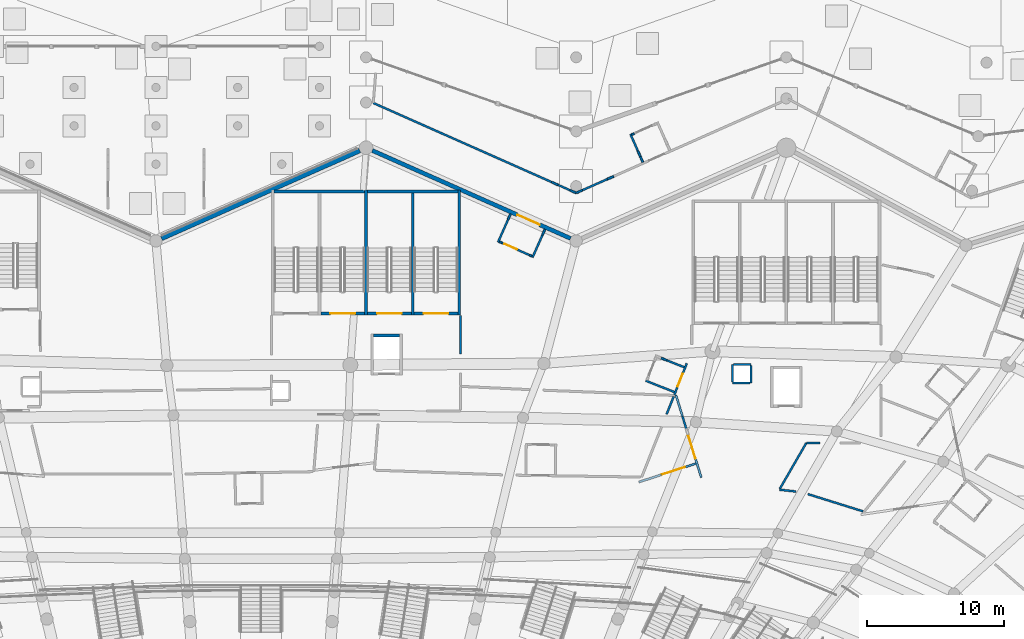
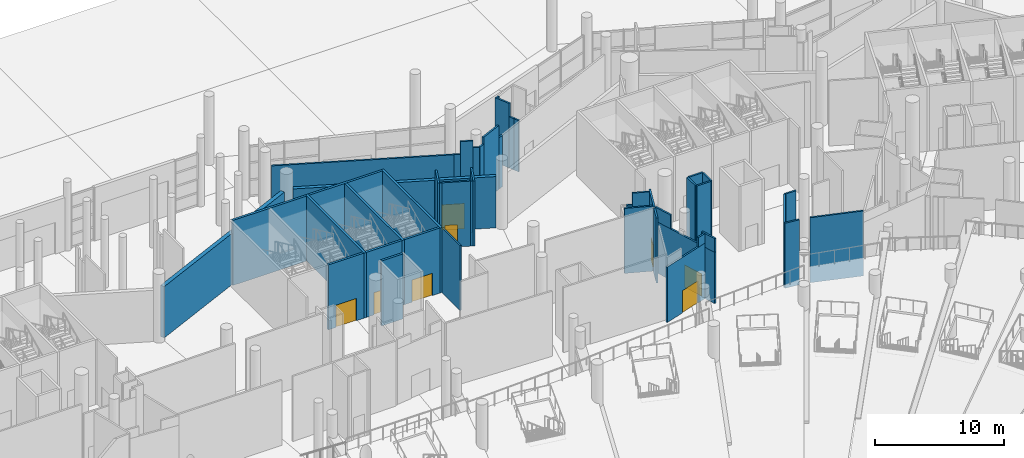
# One storey, part 151 of 255: 48 walls, 8 doors, 8 openings.
"""IFC4 building model written with IfcOpenShell, lengths in metres."""

from ifc_helpers import new_model, si_unit, direction, frame, frame_2d, origin, place, context, subcontext, project, spatial, rectangle, extrude, material, layer, layer_set, type_object, element, fill, save


model = new_model("IFC4")

# Units and contexts
model_context = context("Model", 3, precision=1e-05, world=origin(), true_north=direction((0.0, 1.0)))
body_context = subcontext(model_context, "Body", "Model", "MODEL_VIEW")
ifc_project = project(units=[si_unit("LENGTHUNIT", "METRE"), si_unit("AREAUNIT", "SQUARE_METRE"), si_unit("VOLUMEUNIT", "CUBIC_METRE"), si_unit("PLANEANGLEUNIT", "RADIAN"), si_unit("MASSUNIT", "GRAM", prefix="KILO")], contexts=[model_context])

# Site, building, storey
site_placement = place(None, origin())
site = spatial("IfcSite", under=ifc_project, at=site_placement, CompositionType="ELEMENT")
building_placement = place(site_placement, origin())
building = spatial("IfcBuilding", under=site, at=building_placement, Name="Meseta Stadium", CompositionType="ELEMENT")
storey_placement = place(building_placement, origin())
storey = spatial("IfcBuildingStorey", under=building, at=storey_placement, Name="L00", CompositionType="ELEMENT", Elevation=0.0)

# Walls
ifc_material_1 = material(Name="Concrete C40/50", Category="concrete")
ifc_layer_1 = layer(ifc_material_1, 0.199951171875)
ifc_layer_set_1 = layer_set([ifc_layer_1], Name="Core divider wall 200")
wall_type_1 = type_object("IfcWallType", Name="Core divider wall 200", PredefinedType="SHEAR", material=ifc_layer_set_1)
wall_1_placement = place(storey_placement, frame((11.066650390625, 102.300048828125, 0.0), z_axis=(0.0, 0.0, 1.0), x_axis=(0.0, -1.0, 0.0)))
element("IfcWall", 1, at=wall_1_placement, inside=storey, type_object=wall_type_1, Name="Core 10 L00 stair A divider wall", PredefinedType="SHEAR", context=body_context, shape_type="SweptSolid", body=[
    extrude(rectangle(XDim=9.10009765625, YDim=0.199951171875, at=frame_2d((4.550048828125, 0.0))), origin(), (0.0, 0.0, 1.0), 6.14990234375),
])
ifc_material_2 = material(Name="Concrete C40/50", Category="concrete")
ifc_layer_2 = layer(ifc_material_2, 0.199951171875)
ifc_layer_set_2 = layer_set([ifc_layer_2], Name="Core shaft wall 200")
wall_type_2 = type_object("IfcWallType", Name="Core shaft wall 200", PredefinedType="SHEAR", material=ifc_layer_set_2)
for number, where, z_axis, x_axis, name in (
    (2, (14.466796875, 102.300048828125, 0.0), (0.0, 0.0, 1.0), (0.0, -1.0, 0.0), "Core 10 L00 stair wall A-side"),
    (3, (7.666748046875, 102.300048828125, 0.0), (0.0, 0.0, 1.0), (0.0, -1.0, 0.0), "Core 10 L00 stair wall shared"),
):
    element("IfcWall", number, at=place(storey_placement, frame(where, z_axis=z_axis, x_axis=x_axis)), inside=storey, type_object=wall_type_2, Name=name, PredefinedType="SHEAR", context=body_context, shape_type="SweptSolid", body=[
        extrude(rectangle(XDim=9.10009765625, YDim=0.199951171875, at=frame_2d((4.550048828125, 0.0))), origin(), (0.0, 0.0, 1.0), 6.14990234375),
    ])
wall_2_placement = place(storey_placement, frame((14.36669921875, 102.199951171875, 0.0), z_axis=(0.0, 0.0, 1.0), x_axis=(-1.0, 0.0, 0.0)))
element("IfcWall", 4, at=wall_2_placement, inside=storey, type_object=wall_type_2, Name="Core 10 L00 stair A outer end wall", PredefinedType="SHEAR", context=body_context, shape_type="SweptSolid", body=[
    extrude(rectangle(XDim=6.60009765625, YDim=0.199951171875, at=frame_2d((3.300048828125, 0.0))), origin(), (0.0, 0.0, 1.0), 6.14990234375),
])
wall_3_placement = place(storey_placement, frame((7.566650390625, 102.199951171875, 0.0), z_axis=(0.0, 0.0, 1.0), x_axis=(-1.0, 0.0, 0.0)))
element("IfcWall", 5, at=wall_3_placement, inside=storey, type_object=wall_type_2, Name="Core 10 L00 stair B outer end wall", PredefinedType="SHEAR", context=body_context, shape_type="SweptSolid", body=[
    extrude(rectangle(XDim=6.599853515625, YDim=0.199951171875, at=frame_2d((3.2998046875, 0.0))), origin(), (0.0, 0.0, 1.0), 6.14990234375),
])

# Wall, opening, door
wall_4_placement = place(storey_placement, frame((14.36669921875, 93.300048828125, 0.0), z_axis=(0.0, 0.0, 1.0), x_axis=(-1.0, 0.0, 0.0)))
wall_4 = element("IfcWall", 6, at=wall_4_placement, inside=storey, type_object=wall_type_2, Name="Core 10 L00 stair A1 inner end wall", PredefinedType="SHEAR", context=body_context, shape_type="SweptSolid", body=[
    extrude(rectangle(XDim=3.199951171875, YDim=0.199951171875, at=frame_2d((1.60009765625, 0.0))), origin(), (0.0, 0.0, 1.0), 6.14990234375),
])
opening_1_placement = place(wall_4_placement, frame((0.699951171875, 0.0, 0.0)))
opening_1 = element("IfcOpeningElement", 7, at=opening_1_placement, cuts=wall_4, Name="Opening D143", PredefinedType="OPENING", context=body_context, shape_type="SweptSolid", body=[
    extrude(rectangle(XDim=1.800048828125, YDim=2.10009765625, at=frame_2d((0.89990234375, 1.050048828125))), frame((0.0, 0.10986328125, 0.0), z_axis=(0.0, -1.0, 0.0), x_axis=(1.0, 0.0, 0.0)), (0.0, 0.0, 1.0), 0.219970703125),
])
ifc_material_3 = material(Name="Steel", Category="steel")
door_type_1 = type_object("IfcDoorType", Name="Stair door 1800x2100", OperationType="DOUBLE_DOOR_SINGLE_SWING", PredefinedType="DOOR", material=ifc_material_3)
door_1_placement = place(opening_1_placement, origin())
door_1 = element("IfcDoor", 8, at=door_1_placement, inside=storey, type_object=door_type_1, Name="Stair A1 door 10 L00", OperationType="DOUBLE_DOOR_SINGLE_SWING", OverallHeight=2.10009765625, OverallWidth=1.800048828125, PredefinedType="DOOR", context=body_context, shape_type="SweptSolid", body=[
    extrude(rectangle(XDim=1.800048828125, YDim=2.10009765625, at=frame_2d((0.89990234375, 1.050048828125))), frame((0.0, 0.02490234375, 0.0), z_axis=(0.0, -1.0, 0.0), x_axis=(1.0, 0.0, 0.0)), (0.0, 0.0, 1.0), 0.050048828125),
])
fill(opening_1, door_1)

wall_5_placement = place(storey_placement, frame((10.966796875, 93.300048828125, 0.0), z_axis=(0.0, 0.0, 1.0), x_axis=(-1.0, 0.0, 0.0)))
wall_5 = element("IfcWall", 9, at=wall_5_placement, inside=storey, type_object=wall_type_2, Name="Core 10 L00 stair A2 inner end wall", PredefinedType="SHEAR", context=body_context, shape_type="SweptSolid", body=[
    extrude(rectangle(XDim=3.2001953125, YDim=0.199951171875, at=frame_2d((1.60009765625, 0.0))), origin(), (0.0, 0.0, 1.0), 6.14990234375),
])
opening_2_placement = place(wall_5_placement, frame((0.699951171875, 0.0, 0.0)))
opening_2 = element("IfcOpeningElement", 10, at=opening_2_placement, cuts=wall_5, Name="Opening D144", PredefinedType="OPENING", context=body_context, shape_type="SweptSolid", body=[
    extrude(rectangle(XDim=1.800048828125, YDim=2.10009765625, at=frame_2d((0.89990234375, 1.050048828125))), frame((0.0, 0.10986328125, 0.0), z_axis=(0.0, -1.0, 0.0), x_axis=(1.0, 0.0, 0.0)), (0.0, 0.0, 1.0), 0.219970703125),
])
door_2_placement = place(opening_2_placement, origin())
door_2 = element("IfcDoor", 11, at=door_2_placement, inside=storey, type_object=door_type_1, Name="Stair A2 door 10 L00", OperationType="DOUBLE_DOOR_SINGLE_SWING", OverallHeight=2.10009765625, OverallWidth=1.800048828125, PredefinedType="DOOR", context=body_context, shape_type="SweptSolid", body=[
    extrude(rectangle(XDim=1.800048828125, YDim=2.10009765625, at=frame_2d((0.89990234375, 1.050048828125))), frame((0.0, 0.02490234375, 0.0), z_axis=(0.0, -1.0, 0.0), x_axis=(1.0, 0.0, 0.0)), (0.0, 0.0, 1.0), 0.050048828125),
])
fill(opening_2, door_2)

wall_6_placement = place(storey_placement, frame((7.566650390625, 93.300048828125, 0.0), z_axis=(0.0, 0.0, 1.0), x_axis=(-1.0, 0.0, 0.0)))
wall_6 = element("IfcWall", 12, at=wall_6_placement, inside=storey, type_object=wall_type_2, Name="Core 10 L00 stair B1 inner end wall", PredefinedType="SHEAR", context=body_context, shape_type="SweptSolid", body=[
    extrude(rectangle(XDim=3.199951171875, YDim=0.199951171875, at=frame_2d((1.60009765625, 0.0))), origin(), (0.0, 0.0, 1.0), 6.14990234375),
])
opening_3_placement = place(wall_6_placement, frame((0.699951171875, 0.0, 0.0)))
opening_3 = element("IfcOpeningElement", 13, at=opening_3_placement, cuts=wall_6, Name="Opening D145", PredefinedType="OPENING", context=body_context, shape_type="SweptSolid", body=[
    extrude(rectangle(XDim=1.800048828125, YDim=2.10009765625, at=frame_2d((0.89990234375, 1.050048828125))), frame((0.0, 0.10986328125, 0.0), z_axis=(0.0, -1.0, 0.0), x_axis=(1.0, 0.0, 0.0)), (0.0, 0.0, 1.0), 0.219970703125),
])
door_3_placement = place(opening_3_placement, origin())
door_3 = element("IfcDoor", 14, at=door_3_placement, inside=storey, type_object=door_type_1, Name="Stair B1 door 10 L00", OperationType="DOUBLE_DOOR_SINGLE_SWING", OverallHeight=2.10009765625, OverallWidth=1.800048828125, PredefinedType="DOOR", context=body_context, shape_type="SweptSolid", body=[
    extrude(rectangle(XDim=1.800048828125, YDim=2.10009765625, at=frame_2d((0.89990234375, 1.050048828125))), frame((0.0, 0.02490234375, 0.0), z_axis=(0.0, -1.0, 0.0), x_axis=(1.0, 0.0, 0.0)), (0.0, 0.0, 1.0), 0.050048828125),
])
fill(opening_3, door_3)

# Walls
wall_7_placement = place(storey_placement, frame((10.11669921875, 91.699951171875, 0.0), z_axis=(0.0, 0.0, 1.0), x_axis=(-1.0, 0.0, 0.0)))
element("IfcWall", 15, at=wall_7_placement, inside=storey, type_object=wall_type_2, Name="Core 10 L00 lift shaft back wall", PredefinedType="SHEAR", context=body_context, shape_type="SweptSolid", body=[
    extrude(rectangle(XDim=1.89990234375, YDim=0.199951171875, at=frame_2d((0.949951171875, 0.0))), origin(), (0.0, 0.0, 1.0), 6.14990234375),
])
ifc_material_4 = material(Name="Masonry blockwork", Category="masonry")
ifc_layer_3 = layer(ifc_material_4, 0.14990234375)
ifc_layer_set_3 = layer_set([ifc_layer_3], Name="Partition 150")
wall_type_3 = type_object("IfcWallType", Name="Partition 150", PredefinedType="PARTITIONING", material=ifc_layer_set_3)
wall_8_placement = place(storey_placement, frame((43.937744140625, 78.868408203125, 0.0), z_axis=(0.0, 0.0, 1.0), x_axis=(-0.954519061561, 0.29814989706, 0.0)))
element("IfcWall", 16, at=wall_8_placement, inside=storey, type_object=wall_type_3, Name="Partition L00 L00-cell07-1-0w", PredefinedType="PARTITIONING", context=body_context, shape_type="SweptSolid", body=[
    extrude(rectangle(XDim=4.222900390625, YDim=0.14990234375, at=frame_2d((2.111328125, 0.0))), origin(), (0.0, 0.0, 1.0), 6.14990234375),
])
wall_9_placement = place(storey_placement, frame((39.043701171875, 80.315185546875, 0.0), z_axis=(0.0, 0.0, 1.0), x_axis=(-0.993946565938, 0.10986457145, 0.0)))
element("IfcWall", 17, at=wall_9_placement, inside=storey, type_object=wall_type_3, Name="Partition L00 L00-cell07-1-0w", PredefinedType="PARTITIONING", context=body_context, shape_type="SweptSolid", body=[
    extrude(rectangle(XDim=1.228759765625, YDim=0.14990234375, at=frame_2d((0.6142578125, 0.0))), origin(), (0.0, 0.0, 1.0), 6.14990234375),
])
wall_10_placement = place(storey_placement, frame((37.86328125, 80.521240234375, 0.0), z_axis=(0.0, 0.0, 1.0), x_axis=(0.500453142438, 0.865763623759, 0.0)))
element("IfcWall", 18, at=wall_10_placement, inside=storey, type_object=wall_type_3, Name="Partition L00 L00-cell07-1-0w", PredefinedType="PARTITIONING", context=body_context, shape_type="SweptSolid", body=[
    extrude(rectangle(XDim=3.84619140625, YDim=0.14990234375, at=frame_2d((1.923095703125, 0.0))), origin(), (0.0, 0.0, 1.0), 6.14990234375),
])
wall_11_placement = place(storey_placement, frame((39.7880859375, 83.85107421875, 0.0), z_axis=(0.0, 0.0, 1.0), x_axis=(1.0, 0.0, 0.0)))
element("IfcWall", 19, at=wall_11_placement, inside=storey, type_object=wall_type_3, Name="Partition L00 L00-cell07-1-0w", PredefinedType="PARTITIONING", context=body_context, shape_type="SweptSolid", body=[
    extrude(rectangle(XDim=0.989990234375, YDim=0.14990234375, at=frame_2d((0.4951171875, 0.0))), origin(), (0.0, 0.0, 1.0), 6.14990234375),
])
wall_12_placement = place(storey_placement, frame((30.114013671875, 87.251953125, 0.0), z_axis=(0.0, 0.0, 1.0), x_axis=(-0.368802456255, -0.929507798924, 0.0)))
element("IfcWall", 20, at=wall_12_placement, inside=storey, type_object=wall_type_3, Name="Partition L00 L00-cell08-1-0", PredefinedType="PARTITIONING", context=body_context, shape_type="SweptSolid", body=[
    extrude(rectangle(XDim=1.3994140625, YDim=0.14990234375, at=frame_2d((0.69970703125, 0.0))), origin(), (0.0, 0.0, 1.0), 6.14990234375),
])
wall_13_placement = place(storey_placement, frame((14.566650390625, 90.366455078125, 0.0), z_axis=(0.0, 0.0, 1.0), x_axis=(0.0, 1.0, 0.0)))
element("IfcWall", 21, at=wall_13_placement, inside=storey, type_object=wall_type_3, Name="Partition L00 L00-cell08-2-0", PredefinedType="PARTITIONING", context=body_context, shape_type="SweptSolid", body=[
    extrude(rectangle(XDim=2.79345703125, YDim=0.14990234375, at=frame_2d((1.396728515625, 0.0))), origin(), (0.0, 0.0, 1.0), 6.14990234375),
])

# Wall, opening, door
wall_14_placement = place(storey_placement, frame((31.070068359375, 89.6611328125, 0.0), z_axis=(0.0, 0.0, 1.0), x_axis=(-0.368825125467, -0.9294988041, 0.0)))
wall_14 = element("IfcWall", 22, at=wall_14_placement, inside=storey, type_object=wall_type_3, Name="Partition L00 L00-cell08-2-0", PredefinedType="PARTITIONING", context=body_context, shape_type="SweptSolid", body=[
    extrude(rectangle(XDim=2.46240234375, YDim=0.14990234375, at=frame_2d((1.231201171875, 0.0))), origin(), (0.0, 0.0, 1.0), 6.14990234375),
])
opening_4_placement = place(wall_14_placement, frame((0.800048828125, 0.0, 0.0)))
opening_4 = element("IfcOpeningElement", 23, at=opening_4_placement, cuts=wall_14, Name="Opening D559", PredefinedType="OPENING", context=body_context, shape_type="SweptSolid", body=[
    extrude(rectangle(XDim=1.0, YDim=2.10009765625, at=frame_2d((0.5, 1.050048828125))), frame((0.0, 0.0849609375, 0.0), z_axis=(0.0, -1.0, 0.0), x_axis=(1.0, 0.0, 0.0)), (0.0, 0.0, 1.0), 0.169921875),
])
ifc_material_5 = material(Name="Steel", Category="steel")
door_type_2 = type_object("IfcDoorType", Name="Fire door 1000x2100 EI2 60", OperationType="NOTDEFINED", PredefinedType="DOOR", material=ifc_material_5)
door_4_placement = place(opening_4_placement, origin())
door_4 = element("IfcDoor", 24, at=door_4_placement, inside=storey, type_object=door_type_2, Name="Door D559", OperationType="SINGLE_SWING_LEFT", OverallHeight=2.10009765625, OverallWidth=1.0, PredefinedType="DOOR", context=body_context, shape_type="SweptSolid", body=[
    extrude(rectangle(XDim=1.0, YDim=2.10009765625, at=frame_2d((0.5, 1.050048828125))), frame((0.0, 0.02490234375, 0.0), z_axis=(0.0, -1.0, 0.0), x_axis=(1.0, 0.0, 0.0)), (0.0, 0.0, 1.0), 0.050048828125),
])
fill(opening_4, door_4)

# Walls
wall_15_placement = place(storey_placement, frame((25.730712890625, 103.3115234375, 0.0), z_axis=(0.0, 0.0, 1.0), x_axis=(-0.914255972317, -0.405137034943, 0.0)))
element("IfcWall", 25, at=wall_15_placement, inside=storey, type_object=wall_type_3, Name="Partition L00 L00-ring08-0", PredefinedType="PARTITIONING", context=body_context, shape_type="SweptSolid", body=[
    extrude(rectangle(XDim=0.497802734375, YDim=0.14990234375, at=frame_2d((0.2490234375, 0.0))), origin(), (0.0, 0.0, 1.0), 4.85009765625),
])
wall_16_placement = place(storey_placement, frame((25.275634765625, 103.10986328125, 0.0), z_axis=(0.0, 0.0, 1.0), x_axis=(-0.914139836341, -0.405399012844, 0.0)))
element("IfcWall", 26, at=wall_16_placement, inside=storey, type_object=wall_type_3, Name="Partition L00 L00-ring08-0", PredefinedType="PARTITIONING", context=body_context, shape_type="SweptSolid", body=[
    extrude(rectangle(XDim=1.991455078125, YDim=0.14990234375, at=frame_2d((0.99560546875, 0.0))), origin(), (0.0, 0.0, 1.0), 6.050048828125),
])
wall_17_placement = place(storey_placement, frame((23.455078125, 102.302490234375, 0.0), z_axis=(0.0, 0.0, 1.0), x_axis=(-0.914074243016, -0.405546887862, 0.0)))
element("IfcWall", 27, at=wall_17_placement, inside=storey, type_object=wall_type_3, Name="Partition L00 L00-ring08-0", PredefinedType="PARTITIONING", context=body_context, shape_type="SweptSolid", body=[
    extrude(rectangle(XDim=0.497802734375, YDim=0.14990234375, at=frame_2d((0.2490234375, 0.0))), origin(), (0.0, 0.0, 1.0), 5.39990234375),
])
wall_18_placement = place(storey_placement, frame((23.0, 102.1005859375, 0.0), z_axis=(0.0, 0.0, 1.0), x_axis=(-0.914078102336, 0.405538189115, 0.0)))
element("IfcWall", 28, at=wall_18_placement, inside=storey, type_object=wall_type_3, Name="Partition L00 L00-ring08-0", PredefinedType="PARTITIONING", context=body_context, shape_type="SweptSolid", body=[
    extrude(rectangle(XDim=0.49072265625, YDim=0.14990234375, at=frame_2d((0.245361328125, 0.0))), origin(), (0.0, 0.0, 1.0), 5.39990234375),
])
wall_19_placement = place(storey_placement, frame((22.551513671875, 102.299560546875, 0.0), z_axis=(0.0, 0.0, 1.0), x_axis=(-0.914119005748, 0.405445980781, 0.0)))
element("IfcWall", 29, at=wall_19_placement, inside=storey, type_object=wall_type_3, Name="Partition L00 L00-ring08-0", PredefinedType="PARTITIONING", context=body_context, shape_type="SweptSolid", body=[
    extrude(rectangle(XDim=0.9814453125, YDim=0.14990234375, at=frame_2d((0.49072265625, 0.0))), origin(), (0.0, 0.0, 1.0), 6.050048828125),
])
wall_20_placement = place(storey_placement, frame((21.654296875, 102.697509765625, 0.0), z_axis=(0.0, 0.0, 1.0), x_axis=(-0.914159881267, 0.405353810246, 0.0)))
element("IfcWall", 30, at=wall_20_placement, inside=storey, type_object=wall_type_3, Name="Partition L00 L00-ring08-0", PredefinedType="PARTITIONING", context=body_context, shape_type="SweptSolid", body=[
    extrude(rectangle(XDim=0.490966796875, YDim=0.14990234375, at=frame_2d((0.24560546875, 0.0))), origin(), (0.0, 0.0, 1.0), 4.85009765625),
])
wall_21_placement = place(storey_placement, frame((21.20556640625, 102.896484375, 0.0), z_axis=(0.0, 0.0, 1.0), x_axis=(-0.914139488504, 0.405399797184, 0.0)))
element("IfcWall", 31, at=wall_21_placement, inside=storey, type_object=wall_type_3, Name="Partition L00 L00-ring08-0", PredefinedType="PARTITIONING", context=body_context, shape_type="SweptSolid", body=[
    extrude(rectangle(XDim=14.231689453125, YDim=0.14990234375, at=frame_2d((7.11572265625, 0.0))), origin(), (0.0, 0.0, 1.0), 4.85009765625),
])
wall_22_placement = place(storey_placement, frame((35.75830078125, 89.576171875, 0.0), z_axis=(0.0, 0.0, 1.0), x_axis=(-1.0, 0.0, 0.0)))
element("IfcWall", 32, at=wall_22_placement, inside=storey, type_object=wall_type_3, Name="Pressurisation shaft wall L00 core 09", PredefinedType="PARTITIONING", context=body_context, shape_type="SweptSolid", body=[
    extrude(rectangle(XDim=1.27490234375, YDim=0.14990234375, at=frame_2d((0.637451171875, 0.0))), origin(), (0.0, 0.0, 1.0), 6.14990234375),
])
for number, where, z_axis, x_axis, name in (
    (33, (34.408203125, 89.576171875, 0.0), (0.0, 0.0, 1.0), (0.0, -1.0, 0.0), "Pressurisation shaft wall L00 core 09"),
    (34, (34.408203125, 88.22607421875, 0.0), (0.0, 0.0, 1.0), (1.0, 0.0, 0.0), "Pressurisation shaft wall L00 core 09"),
    (35, (35.75830078125, 88.22607421875, 0.0), (0.0, 0.0, 1.0), (0.0, 1.0, 0.0), "Pressurisation shaft wall L00 core 09"),
):
    element("IfcWall", number, at=place(storey_placement, frame(where, z_axis=z_axis, x_axis=x_axis)), inside=storey, type_object=wall_type_3, Name=name, PredefinedType="PARTITIONING", context=body_context, shape_type="SweptSolid", body=[
        extrude(rectangle(XDim=1.275146484375, YDim=0.14990234375, at=frame_2d((0.6376953125, 0.0))), origin(), (0.0, 0.0, 1.0), 6.14990234375),
    ])
wall_23_placement = place(storey_placement, frame((30.88037109375, 89.38671875, 0.0), z_axis=(0.0, 0.0, 1.0), x_axis=(-0.929533022472, 0.368738877981, 0.0)))
element("IfcWall", 36, at=wall_23_placement, inside=storey, type_object=wall_type_3, Name="Partition L00 L00-cell08-2-0 vestibule", PredefinedType="PARTITIONING", context=body_context, shape_type="SweptSolid", body=[
    extrude(rectangle(XDim=1.35009765625, YDim=0.14990234375, at=frame_2d((0.675048828125, 0.0))), origin(), (0.0, 0.0, 1.0), 6.14990234375),
])
wall_24_placement = place(storey_placement, frame((29.62548828125, 89.884521484375, 0.0), z_axis=(0.0, 0.0, 1.0), x_axis=(-0.929446414306, 0.368957128855, 0.0)))
element("IfcWall", 37, at=wall_24_placement, inside=storey, type_object=wall_type_3, Name="Partition L00 L00-cell08-2-0 vestibule", PredefinedType="PARTITIONING", context=body_context, shape_type="SweptSolid", body=[
    extrude(rectangle(XDim=0.449951171875, YDim=0.14990234375, at=frame_2d((0.22509765625, 0.0))), origin(), (0.0, 0.0, 1.0), 5.050048828125),
])
wall_25_placement = place(storey_placement, frame((30.1611328125, 87.57421875, 0.0), z_axis=(0.0, 0.0, 1.0), x_axis=(-0.929498387463, 0.368826175459, 0.0)))
element("IfcWall", 38, at=wall_25_placement, inside=storey, type_object=wall_type_3, Name="Partition L00 L00-cell08-2-0 vestibule", PredefinedType="PARTITIONING", context=body_context, shape_type="SweptSolid", body=[
    extrude(rectangle(XDim=2.25, YDim=0.14990234375, at=frame_2d((1.125, 0.0))), origin(), (0.0, 0.0, 1.0), 6.14990234375),
])
wall_26_placement = place(storey_placement, frame((18.20849609375, 100.560791015625, 0.0), z_axis=(0.0, 0.0, 1.0), x_axis=(-0.405282518143, -0.914191490054, 0.0)))
element("IfcWall", 39, at=wall_26_placement, inside=storey, type_object=wall_type_3, Name="Partition L00 L00-cell08-2-0 vestibule", PredefinedType="PARTITIONING", context=body_context, shape_type="SweptSolid", body=[
    extrude(rectangle(XDim=0.449951171875, YDim=0.14990234375, at=frame_2d((0.22509765625, 0.0))), origin(), (0.0, 0.0, 1.0), 4.85009765625),
])
wall_27_placement = place(storey_placement, frame((18.026123046875, 100.1494140625, 0.0), z_axis=(0.0, 0.0, 1.0), x_axis=(-0.405395866652, -0.914141231595, 0.0)))
element("IfcWall", 40, at=wall_27_placement, inside=storey, type_object=wall_type_3, Name="Partition L00 L00-cell08-2-0 vestibule", PredefinedType="PARTITIONING", context=body_context, shape_type="SweptSolid", body=[
    extrude(rectangle(XDim=1.800048828125, YDim=0.14990234375, at=frame_2d((0.89990234375, 0.0))), origin(), (0.0, 0.0, 1.0), 6.14990234375),
])
wall_28_placement = place(storey_placement, frame((20.722412109375, 99.446044921875, 0.0), z_axis=(0.0, 0.0, 1.0), x_axis=(-0.405282518143, -0.914191490054, 0.0)))
element("IfcWall", 41, at=wall_28_placement, inside=storey, type_object=wall_type_3, Name="Partition L00 L00-cell08-2-0 vestibule", PredefinedType="PARTITIONING", context=body_context, shape_type="SweptSolid", body=[
    extrude(rectangle(XDim=0.449951171875, YDim=0.14990234375, at=frame_2d((0.22509765625, 0.0))), origin(), (0.0, 0.0, 1.0), 4.85009765625),
])
wall_29_placement = place(storey_placement, frame((20.5400390625, 99.03466796875, 0.0), z_axis=(0.0, 0.0, 1.0), x_axis=(-0.405395866652, -0.914141231595, 0.0)))
element("IfcWall", 42, at=wall_29_placement, inside=storey, type_object=wall_type_3, Name="Partition L00 L00-cell08-2-0 vestibule", PredefinedType="PARTITIONING", context=body_context, shape_type="SweptSolid", body=[
    extrude(rectangle(XDim=1.800048828125, YDim=0.14990234375, at=frame_2d((0.89990234375, 0.0))), origin(), (0.0, 0.0, 1.0), 6.14990234375),
])
wall_30_placement = place(storey_placement, frame((17.395263671875, 98.542236328125, 0.0), z_axis=(0.0, 0.0, 1.0), x_axis=(0.914213764774, -0.405232269566, 0.0)))
element("IfcWall", 43, at=wall_30_placement, inside=storey, type_object=wall_type_3, Name="Partition L00 L00-cell08-2-0 vestibule", PredefinedType="PARTITIONING", context=body_context, shape_type="SweptSolid", body=[
    extrude(rectangle(XDim=0.199951171875, YDim=0.14990234375, at=frame_2d((0.10009765625, 0.0))), origin(), (0.0, 0.0, 1.0), 6.14990234375),
])

# Wall, opening, door
wall_31_placement = place(storey_placement, frame((17.578125, 98.461181640625, 0.0), z_axis=(0.0, 0.0, 1.0), x_axis=(0.914113298408, -0.405458848311, 0.0)))
wall_31 = element("IfcWall", 44, at=wall_31_placement, inside=storey, type_object=wall_type_3, Name="Partition L00 L00-cell08-2-0 vestibule", PredefinedType="PARTITIONING", context=body_context, shape_type="SweptSolid", body=[
    extrude(rectangle(XDim=2.2001953125, YDim=0.14990234375, at=frame_2d((1.10009765625, 0.0))), origin(), (0.0, 0.0, 1.0), 6.14990234375),
])
opening_5_placement = place(wall_31_placement, frame((0.199951171875, 0.0, 0.0)))
opening_5 = element("IfcOpeningElement", 45, at=opening_5_placement, cuts=wall_31, Name="Opening D836", PredefinedType="OPENING", context=body_context, shape_type="SweptSolid", body=[
    extrude(rectangle(XDim=1.0, YDim=2.10009765625, at=frame_2d((0.5, 1.050048828125))), frame((0.0, 0.0849609375, 0.0), z_axis=(0.0, -1.0, 0.0), x_axis=(1.0, 0.0, 0.0)), (0.0, 0.0, 1.0), 0.169921875),
])
door_5_placement = place(opening_5_placement, origin())
door_5 = element("IfcDoor", 46, at=door_5_placement, inside=storey, type_object=door_type_2, Name="Vestibule door L00 L00-cell08-2-0", OperationType="SINGLE_SWING_LEFT", OverallHeight=2.10009765625, OverallWidth=1.0, PredefinedType="DOOR", context=body_context, shape_type="SweptSolid", body=[
    extrude(rectangle(XDim=1.0, YDim=2.10009765625, at=frame_2d((0.5, 1.050048828125))), frame((0.0, 0.02490234375, 0.0), z_axis=(0.0, -1.0, 0.0), x_axis=(1.0, 0.0, 0.0)), (0.0, 0.0, 1.0), 0.050048828125),
])
fill(opening_5, door_5)

# Walls
wall_32_placement = place(storey_placement, frame((19.58935546875, 97.569091796875, 0.0), z_axis=(0.0, 0.0, 1.0), x_axis=(0.914213764774, -0.405232269566, 0.0)))
element("IfcWall", 47, at=wall_32_placement, inside=storey, type_object=wall_type_3, Name="Partition L00 L00-cell08-2-0 vestibule", PredefinedType="PARTITIONING", context=body_context, shape_type="SweptSolid", body=[
    extrude(rectangle(XDim=0.199951171875, YDim=0.14990234375, at=frame_2d((0.10009765625, 0.0))), origin(), (0.0, 0.0, 1.0), 6.14990234375),
])
wall_33_placement = place(storey_placement, frame((27.8681640625, 104.341552734375, 0.0), z_axis=(0.0, 0.0, 1.0), x_axis=(-0.405937043024, 0.913901043385, 0.0)))
element("IfcWall", 48, at=wall_33_placement, inside=storey, type_object=wall_type_3, Name="Partition L00 L00-ring08-0 vestibule", PredefinedType="PARTITIONING", context=body_context, shape_type="SweptSolid", body=[
    extrude(rectangle(XDim=0.449951171875, YDim=0.14990234375, at=frame_2d((0.22509765625, 0.0))), origin(), (0.0, 0.0, 1.0), 4.85009765625),
])
wall_34_placement = place(storey_placement, frame((27.685546875, 104.752685546875, 0.0), z_axis=(0.0, 0.0, 1.0), x_axis=(-0.405081591232, 0.914280539247, 0.0)))
element("IfcWall", 49, at=wall_34_placement, inside=storey, type_object=wall_type_3, Name="Partition L00 L00-ring08-0 vestibule", PredefinedType="PARTITIONING", context=body_context, shape_type="SweptSolid", body=[
    extrude(rectangle(XDim=0.4501953125, YDim=0.14990234375, at=frame_2d((0.22509765625, 0.0))), origin(), (0.0, 0.0, 1.0), 4.85009765625),
])
wall_35_placement = place(storey_placement, frame((27.503173828125, 105.164306640625, 0.0), z_axis=(0.0, 0.0, 1.0), x_axis=(-0.405500676078, 0.914094744379, 0.0)))
element("IfcWall", 50, at=wall_35_placement, inside=storey, type_object=wall_type_3, Name="Partition L00 L00-ring08-0 vestibule", PredefinedType="PARTITIONING", context=body_context, shape_type="SweptSolid", body=[
    extrude(rectangle(XDim=1.349853515625, YDim=0.14990234375, at=frame_2d((0.6748046875, 0.0))), origin(), (0.0, 0.0, 1.0), 6.10009765625),
])
wall_36_placement = place(storey_placement, frame((27.23779296875, 106.441162109375, 0.0), z_axis=(0.0, 0.0, 1.0), x_axis=(-0.914213764774, -0.405232269566, 0.0)))
element("IfcWall", 51, at=wall_36_placement, inside=storey, type_object=wall_type_3, Name="Partition L00 L00-ring08-0 vestibule", PredefinedType="PARTITIONING", context=body_context, shape_type="SweptSolid", body=[
    extrude(rectangle(XDim=0.199951171875, YDim=0.14990234375, at=frame_2d((0.10009765625, 0.0))), origin(), (0.0, 0.0, 1.0), 6.10009765625),
])

# Wall, opening, door
wall_37_placement = place(storey_placement, frame((32.12841796875, 81.331787109375, 0.0), z_axis=(0.0, 0.0, 1.0), x_axis=(-0.29352789027, 0.955950510034, 0.0)))
wall_37 = element("IfcWall", 52, at=wall_37_placement, inside=storey, type_object=wall_type_3, Name="Escape corridor sector wall L00 core 09", PredefinedType="PARTITIONING", context=body_context, shape_type="SweptSolid", body=[
    extrude(rectangle(XDim=6.3037109375, YDim=0.14990234375, at=frame_2d((3.15185546875, 0.0))), origin(), (0.0, 0.0, 1.0), 4.85009765625),
])
opening_6_placement = place(wall_37_placement, frame((1.449951171875, 0.0, 0.0)))
opening_6 = element("IfcOpeningElement", 53, at=opening_6_placement, cuts=wall_37, Name="Opening D413", PredefinedType="OPENING", context=body_context, shape_type="SweptSolid", body=[
    extrude(rectangle(XDim=1.800048828125, YDim=2.10009765625, at=frame_2d((0.89990234375, 1.050048828125))), frame((0.0, 0.0849609375, 0.0), z_axis=(0.0, -1.0, 0.0), x_axis=(1.0, 0.0, 0.0)), (0.0, 0.0, 1.0), 0.169921875),
])
ifc_material_6 = material(Name="Steel", Category="steel")
door_type_3 = type_object("IfcDoorType", Name="Fire double door 1800x2100 EI2 60", OperationType="DOUBLE_DOOR_SINGLE_SWING", PredefinedType="DOOR", material=ifc_material_6)
door_6_placement = place(opening_6_placement, origin())
door_6 = element("IfcDoor", 54, at=door_6_placement, inside=storey, type_object=door_type_3, Name="Escape corridor door EC09-1", OperationType="DOUBLE_DOOR_SINGLE_SWING", OverallHeight=2.10009765625, OverallWidth=1.800048828125, PredefinedType="DOOR", context=body_context, shape_type="SweptSolid", body=[
    extrude(rectangle(XDim=1.800048828125, YDim=2.10009765625, at=frame_2d((0.89990234375, 1.050048828125))), frame((0.0, 0.02490234375, 0.0), z_axis=(0.0, -1.0, 0.0), x_axis=(1.0, 0.0, 0.0)), (0.0, 0.0, 1.0), 0.050048828125),
])
fill(opening_6, door_6)

# Walls
wall_38_placement = place(storey_placement, frame((32.12841796875, 81.331787109375, 4.85009765625), z_axis=(0.0, 0.0, 1.0), x_axis=(-0.293534282941, 0.955948547119, 0.0)))
element("IfcWall", 55, at=wall_38_placement, inside=storey, type_object=wall_type_3, Name="Escape corridor sector wall L00 core 09", PredefinedType="PARTITIONING", context=body_context, shape_type="SweptSolid", body=[
    extrude(rectangle(XDim=1.39990234375, YDim=0.14990234375, at=frame_2d((0.699951171875, 0.0))), origin(), (0.0, 0.0, 1.0), 1.2998046875),
])
wall_39_placement = place(storey_placement, frame((30.753662109375, 85.80908203125, 4.85009765625), z_axis=(0.0, 0.0, 1.0), x_axis=(-0.293535187388, 0.955948269398, 0.0)))
element("IfcWall", 56, at=wall_39_placement, inside=storey, type_object=wall_type_3, Name="Escape corridor sector wall L00 core 09", PredefinedType="PARTITIONING", context=body_context, shape_type="SweptSolid", body=[
    extrude(rectangle(XDim=1.6201171875, YDim=0.14990234375, at=frame_2d((0.81005859375, 0.0))), origin(), (0.0, 0.0, 1.0), 1.2998046875),
])

# Wall, opening, door
wall_40_placement = place(storey_placement, frame((31.73388671875, 82.353759765625, 0.0), z_axis=(0.0, 0.0, 1.0), x_axis=(-0.951372686442, -0.308042223555, 0.0)))
wall_40 = element("IfcWall", 57, at=wall_40_placement, inside=storey, type_object=wall_type_3, Name="Escape corridor discharge wall L00 core 09", PredefinedType="PARTITIONING", context=body_context, shape_type="SweptSolid", body=[
    extrude(rectangle(XDim=4.36376953125, YDim=0.14990234375, at=frame_2d((2.181884765625, 0.0))), origin(), (0.0, 0.0, 1.0), 5.25),
])
opening_7_placement = place(wall_40_placement, frame((0.81396484375, 0.0, 0.0)))
opening_7 = element("IfcOpeningElement", 58, at=opening_7_placement, cuts=wall_40, Name="Opening D385", PredefinedType="OPENING", context=body_context, shape_type="SweptSolid", body=[
    extrude(rectangle(XDim=1.800048828125, YDim=2.10009765625, at=frame_2d((0.89990234375, 1.050048828125))), frame((0.0, 0.0849609375, 0.0), z_axis=(0.0, -1.0, 0.0), x_axis=(1.0, 0.0, 0.0)), (0.0, 0.0, 1.0), 0.169921875),
])
door_7_placement = place(opening_7_placement, origin())
door_7 = element("IfcDoor", 59, at=door_7_placement, inside=storey, type_object=door_type_3, Name="Stair discharge door SD09-1", OperationType="DOUBLE_DOOR_SINGLE_SWING", OverallHeight=2.10009765625, OverallWidth=1.800048828125, PredefinedType="DOOR", context=body_context, shape_type="SweptSolid", body=[
    extrude(rectangle(XDim=1.800048828125, YDim=2.10009765625, at=frame_2d((0.89990234375, 1.050048828125))), frame((0.0, 0.02490234375, 0.0), z_axis=(0.0, -1.0, 0.0), x_axis=(1.0, 0.0, 0.0)), (0.0, 0.0, 1.0), 0.050048828125),
])
fill(opening_7, door_7)

# Wall
wall_41_placement = place(storey_placement, frame((31.73388671875, 82.353759765625, 5.25), z_axis=(0.0, 0.0, 1.0), x_axis=(-0.951364656221, -0.308067023378, 0.0)))
element("IfcWall", 60, at=wall_41_placement, inside=storey, type_object=wall_type_3, Name="Escape corridor discharge wall L00 core 09", PredefinedType="PARTITIONING", context=body_context, shape_type="SweptSolid", body=[
    extrude(rectangle(XDim=0.763916015625, YDim=0.14990234375, at=frame_2d((0.3818359375, 0.0))), origin(), (0.0, 0.0, 1.0), 0.89990234375),
])

# Wall, opening, door
ifc_material_7 = material(Name="White precast concrete C40/50", Category="concrete")
ifc_layer_4 = layer(ifc_material_7, 0.300048828125)
ifc_layer_set_4 = layer_set([ifc_layer_4], Name="Pleated panel wall 300 concourse")
wall_type_4 = type_object("IfcWallType", Name="Pleated panel wall 300 concourse", PredefinedType="SOLIDWALL", material=ifc_layer_set_4)
wall_42_placement = place(storey_placement, frame((8.123291015625, 105.197509765625, 0.0), z_axis=(0.0, 0.0, 1.0), x_axis=(0.914138897099, -0.405401130748, 0.0)))
wall_42 = element("IfcWall", 61, at=wall_42_placement, inside=storey, type_object=wall_type_4, Name="Pleated facade panel L00 F17", PredefinedType="SOLIDWALL", context=body_context, shape_type="SweptSolid", body=[
    extrude(rectangle(XDim=15.824462890625, YDim=0.300048828125, at=frame_2d((7.912109375, 0.0))), origin(), (0.0, 0.0, 1.0), 4.85009765625),
])
opening_8_placement = place(wall_42_placement, frame((11.573974609375, 0.0, 0.0)))
opening_8 = element("IfcOpeningElement", 62, at=opening_8_placement, cuts=wall_42, Name="Opening D974", PredefinedType="OPENING", context=body_context, shape_type="SweptSolid", body=[
    extrude(rectangle(XDim=1.800048828125, YDim=2.39990234375, at=frame_2d((0.89990234375, 1.199951171875))), frame((0.0, 0.159912109375, 0.0), z_axis=(0.0, -1.0, 0.0), x_axis=(1.0, 0.0, 0.0)), (0.0, 0.0, 1.0), 0.320068359375),
])
ifc_material_8 = material(Name="Steel", Category="steel")
door_type_4 = type_object("IfcDoorType", Name="Fire double door 1800x2400 EI2 60", OperationType="DOUBLE_DOOR_SINGLE_SWING", PredefinedType="DOOR", material=ifc_material_8)
door_8_placement = place(opening_8_placement, origin())
door_8 = element("IfcDoor", 63, at=door_8_placement, inside=storey, type_object=door_type_4, Name="Concourse door", OperationType="DOUBLE_DOOR_SINGLE_SWING", OverallHeight=2.39990234375, OverallWidth=1.800048828125, PredefinedType="DOOR", context=body_context, shape_type="SweptSolid", body=[
    extrude(rectangle(XDim=1.800048828125, YDim=2.39990234375, at=frame_2d((0.89990234375, 1.199951171875))), frame((0.0, 0.02490234375, 0.0), z_axis=(0.0, -1.0, 0.0), x_axis=(1.0, 0.0, 0.0)), (0.0, 0.0, 1.0), 0.050048828125),
])
fill(opening_8, door_8)

# Wall
ifc_material_9 = material(Name="White precast concrete C40/50", Category="concrete")
ifc_layer_5 = layer(ifc_material_9, 0.35009765625)
ifc_layer_set_5 = layer_set([ifc_layer_5], Name="Pleated panel wall 350 gate")
wall_type_5 = type_object("IfcWallType", Name="Pleated panel wall 350 gate", PredefinedType="SOLIDWALL", material=ifc_layer_set_5)
wall_43_placement = place(storey_placement, frame((-7.255615234375, 98.7822265625, 0.0), z_axis=(0.0, 0.0, 1.0), x_axis=(0.914136361455, 0.405406848322, 0.0)))
element("IfcWall", 64, at=wall_43_placement, inside=storey, type_object=wall_type_5, Name="Pleated facade panel L00 F18", PredefinedType="SOLIDWALL", context=body_context, shape_type="SweptSolid", body=[
    extrude(rectangle(XDim=15.82421875, YDim=0.35009765625, at=frame_2d((7.912109375, 0.0))), origin(), (0.0, 0.0, 1.0), 4.85009765625),
])

save(model, "model.ifc")
